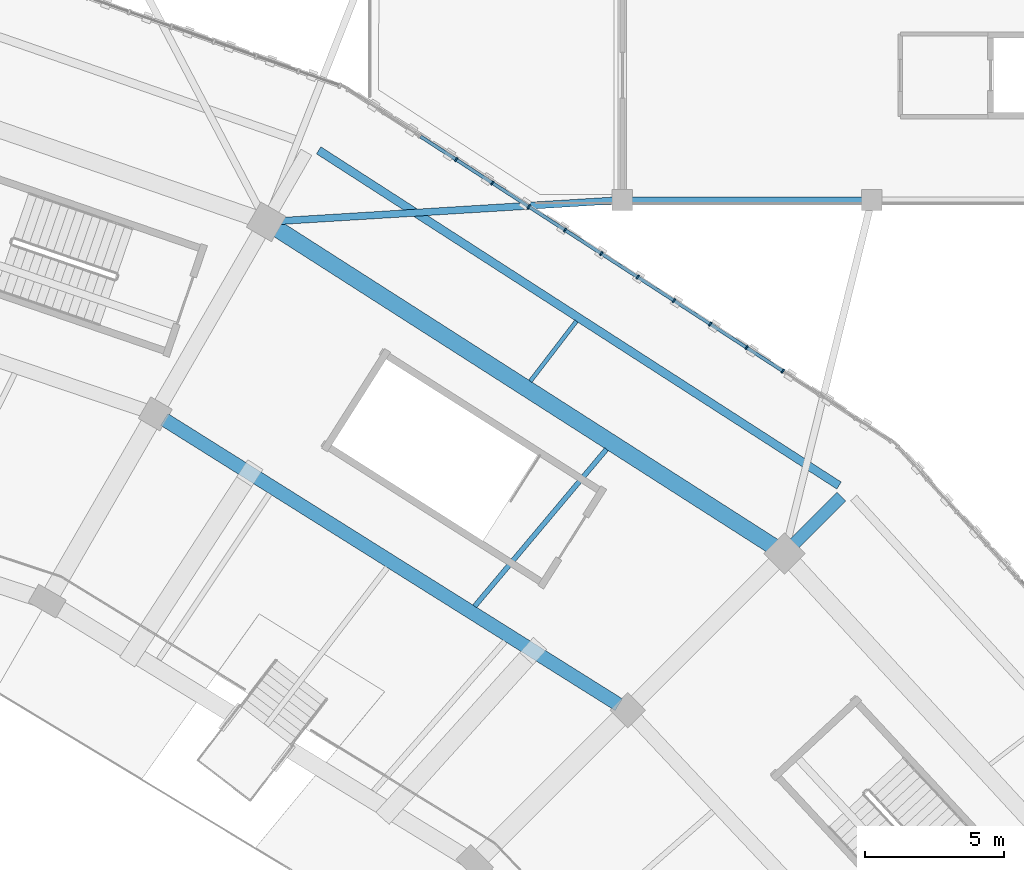
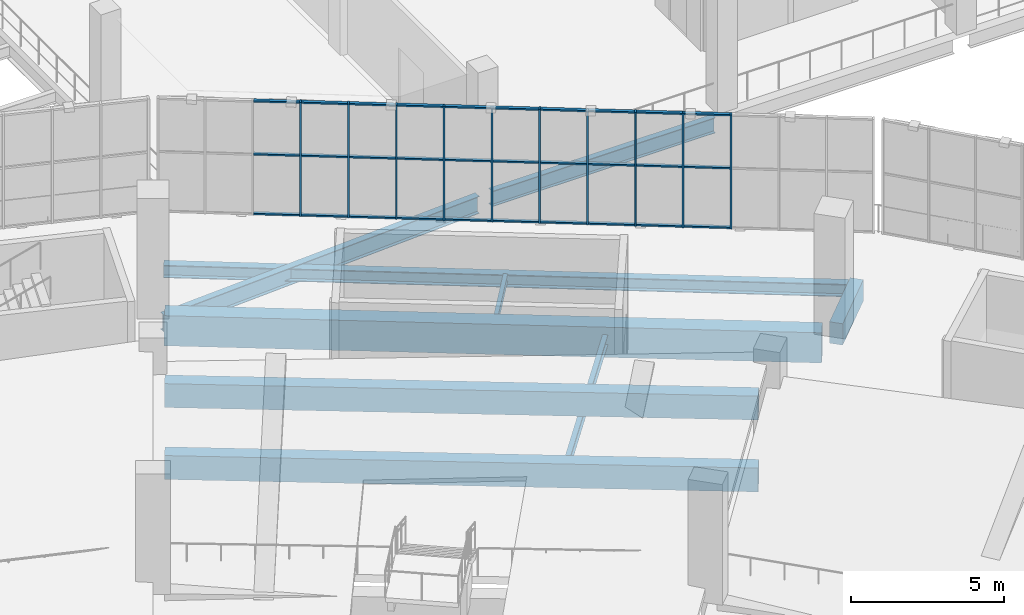
# One storey, part 61 of 152: 40 members, 9 beams, 1 element without a shape of its own.
"""IFC4 building model written with IfcOpenShell, lengths in metres."""

import ifcopenshell
import ifcopenshell.guid

model = None  # the IFC model being written
_history = None  # IfcOwnerHistory: only IFC2X3 demands one
_inside = {}  # id of a spatial element -> (the spatial element, [elements in it])
_under = {}  # id of a project, library or spatial element -> (it, [spatial elements below it])
_declared = {}  # id of a project -> (the project, [libraries it declares])
_typed = {}  # id of a type object -> (the type object, [elements of that type])
_made_of = {}  # id of a material, layer set ... -> (it, [elements and type objects made of it])


def new_model(schema):
    """Start an empty IFC model of exactly this schema.

    Asked for "IFC4X3", IfcOpenShell would pick the latest addendum, in which some entities
    have other attributes; the version numbers below select the first issue.
    IFC2X3 requires an IfcOwnerHistory on every rooted entity: one is made here for all.
    """
    global model, _history
    if schema == "IFC4X3":
        model = ifcopenshell.file(schema_version=(4, 3, 0, 0))
    else:
        model = ifcopenshell.file(schema=schema)
    _inside.clear()
    _under.clear()
    _declared.clear()
    _typed.clear()
    _made_of.clear()
    _history = None
    if model.schema == "IFC2X3":
        org = make("IfcOrganization", Name="unknown")
        user = make(
            "IfcPersonAndOrganization",
            ThePerson=make("IfcPerson", FamilyName="unknown"),
            TheOrganization=org,
        )
        app = make(
            "IfcApplication",
            ApplicationDeveloper=org,
            Version="unknown",
            ApplicationFullName="unknown",
            ApplicationIdentifier="unknown",
        )
        _history = make(
            "IfcOwnerHistory",
            OwningUser=user,
            OwningApplication=app,
            ChangeAction="ADDED",
            CreationDate=0,
        )
    return model


def make(cls, **values):
    """One entity of the class cls with the attributes given. An attribute that is None is left unset."""
    return model.create_entity(
        cls, **{name: value for name, value in values.items() if value is not None}
    )


def rooted(cls, **values):
    """An entity with a GlobalId (a new one), such as an element, a storey or a relation."""
    return make(cls, GlobalId=ifcopenshell.guid.new(), OwnerHistory=_history, **values)


def si_unit(unit_type, name, prefix=None):
    """IfcSIUnit, for example si_unit("LENGTHUNIT", "METRE", prefix="MILLI")."""
    return make("IfcSIUnit", UnitType=unit_type, Prefix=prefix, Name=name)


def assignment(units):
    """IfcUnitAssignment: the units of a project."""
    return None if units is None else make("IfcUnitAssignment", Units=units)


def point(xyz):
    """IfcCartesianPoint."""
    return None if xyz is None else make("IfcCartesianPoint", Coordinates=xyz)


def direction(xyz):
    """IfcDirection."""
    return None if xyz is None else make("IfcDirection", DirectionRatios=xyz)


def frame(location, z_axis=None, x_axis=None):
    """IfcAxis2Placement3D, a coordinate frame: its origin and axes. An axis left out is left unset."""
    return make(
        "IfcAxis2Placement3D",
        Location=point(location),
        Axis=direction(z_axis),
        RefDirection=direction(x_axis),
    )


def frame_2d(location, x_axis=None):
    """IfcAxis2Placement2D, a coordinate frame in the plane: its origin and x axis."""
    return make(
        "IfcAxis2Placement2D", Location=point(location), RefDirection=direction(x_axis)
    )


def origin():
    """The frame at (0, 0, 0) with its axes left unset."""
    return frame((0.0, 0.0, 0.0))


def origin_2d():
    """The frame at (0, 0) in the plane with its x axis left unset."""
    return frame_2d((0.0, 0.0))


def place(relative_to, where):
    """IfcLocalPlacement: puts the frame where relative to a parent placement (None: the world)."""
    return make(
        "IfcLocalPlacement", PlacementRelTo=relative_to, RelativePlacement=where
    )


def context(
    kind, dimensions, precision=None, world=None, true_north=None, identifier=None
):
    """IfcGeometricRepresentationContext, for example the 3D "Model" context."""
    return make(
        "IfcGeometricRepresentationContext",
        ContextIdentifier=identifier,
        ContextType=kind,
        CoordinateSpaceDimension=dimensions,
        Precision=precision,
        WorldCoordinateSystem=world,
        TrueNorth=true_north,
    )


def subcontext(parent, identifier, kind, view, scale=None):
    """IfcGeometricRepresentationSubContext, for example "Body" below "Model"."""
    return make(
        "IfcGeometricRepresentationSubContext",
        ContextIdentifier=identifier,
        ContextType=kind,
        ParentContext=parent,
        TargetScale=scale,
        TargetView=view,
    )


def project(units=None, contexts=None):
    """IfcProject with its units and contexts."""
    return rooted(
        "IfcProject",
        Name="project",
        RepresentationContexts=contexts,
        UnitsInContext=assignment(units),
    )


def spatial(cls, under=None, at=None, **own):
    """A site, building, storey or space (cls), placed at a placement, below another one or the project."""
    s = rooted(cls, ObjectPlacement=at, **own)
    if under is not None:
        _under.setdefault(under.id(), (under, []))[1].append(s)
    return s


def profile(cls, at=None, kind="AREA", **sizes):
    """A parametric profile (cls). Its sizes go by their IFC names, for example OverallWidth=200.0."""
    return make(cls, ProfileType=kind, Position=at, **sizes)


def rectangle(**sizes):
    """IfcRectangleProfileDef."""
    return profile("IfcRectangleProfileDef", **sizes)


def i_section(**sizes):
    """IfcIShapeProfileDef."""
    return profile("IfcIShapeProfileDef", **sizes)


def extrude(swept, where, along, depth):
    """IfcExtrudedAreaSolid: the profile swept, set in the frame where, extruded along a direction by depth."""
    return make(
        "IfcExtrudedAreaSolid",
        SweptArea=swept,
        Position=where,
        ExtrudedDirection=direction(along),
        Depth=depth,
    )


def shape(context_of_items, identifier, shape_type, items):
    """IfcShapeRepresentation: the items that make up one representation, for example the "Body"."""
    return make(
        "IfcShapeRepresentation",
        ContextOfItems=context_of_items,
        RepresentationIdentifier=identifier,
        RepresentationType=shape_type,
        Items=items,
    )


def material(Name=None, Category=None):
    """IfcMaterial."""
    return make("IfcMaterial", Name=Name, Category=Category)


def material_profile(
    of_material, cross_section, Name=None, Category=None, Priority=None
):
    """IfcMaterialProfile: a cross section and its material."""
    return make(
        "IfcMaterialProfile",
        Name=Name,
        Material=of_material,
        Profile=cross_section,
        Priority=Priority,
        Category=Category,
    )


def profile_set(profiles, Name=None, composite=None):
    """IfcMaterialProfileSet."""
    return make(
        "IfcMaterialProfileSet",
        Name=Name,
        MaterialProfiles=profiles,
        CompositeProfile=composite,
    )


def made_of(thing, what):
    """Note that an element or type object is made of a material, layer set ...; save() writes the relation."""
    if what is not None:
        _made_of.setdefault(what.id(), (what, []))[1].append(thing)
    return thing


def type_object(cls, material=None, **own):
    """A type object (cls), such as IfcWallType, which elements share."""
    return made_of(rooted(cls, **own), material)


def element(
    cls,
    number,
    at=None,
    inside=None,
    cuts=None,
    type_object=None,
    material=None,
    context=None,
    identifier="Body",
    shape_type=None,
    held_by="IfcProductDefinitionShape",
    body=None,
    shapes=None,
    **own,
):
    """One element of the class cls, such as IfcWall. Its Tag is "e" and its number.

    at: its placement. inside: the storey or other place that contains it. cuts: it is an
    opening in that element (IfcRelVoidsElement). A single representation is given by context,
    identifier, shape_type and body (its items); several are given by shapes. held_by: the class
    of the entity that holds the representations. save() writes the other relations.
    """
    e = rooted(cls, Tag="e%d" % number, ObjectPlacement=at, **own)
    if body is not None:
        shapes = [shape(context, identifier, shape_type, body)]
    if shapes is not None:
        e.Representation = make(held_by, Representations=shapes)
    if inside is not None:
        _inside.setdefault(inside.id(), (inside, []))[1].append(e)
    if cuts is not None:
        rooted(
            "IfcRelVoidsElement", RelatingBuildingElement=cuts, RelatedOpeningElement=e
        )
    if type_object is not None:
        _typed.setdefault(type_object.id(), (type_object, []))[1].append(e)
    return made_of(e, material)


def aggregate(whole, parts):
    """IfcRelAggregates: a whole, such as a stair, and the parts it consists of."""
    return rooted("IfcRelAggregates", RelatingObject=whole, RelatedObjects=parts)


def save(model, path):
    """Write the relations noted so far, then the file.

    IfcRelAggregates (storeys below a building ...), IfcRelContainedInSpatialStructure (elements
    in a storey), IfcRelDefinesByType, IfcRelAssociatesMaterial and IfcRelDeclares: one each for
    every whole, place, type object, material and project.
    """
    for whole, parts in _under.values():
        aggregate(whole, parts)
    for where, things in _inside.values():
        rooted(
            "IfcRelContainedInSpatialStructure",
            RelatedElements=things,
            RelatingStructure=where,
        )
    for kind, things in _typed.values():
        rooted("IfcRelDefinesByType", RelatedObjects=things, RelatingType=kind)
    for what, things in _made_of.values():
        rooted("IfcRelAssociatesMaterial", RelatedObjects=things, RelatingMaterial=what)
    for by, libraries in _declared.values():
        rooted("IfcRelDeclares", RelatingContext=by, RelatedDefinitions=libraries)
    model.write(path)


model = new_model("IFC4")

# Units and contexts
model_context = context("Model", 3, precision=1e-05, world=origin(), true_north=direction((0.0, 1.0)))
body_context = subcontext(model_context, "Body", "Model", "MODEL_VIEW")
ifc_project = project(units=[si_unit("LENGTHUNIT", "METRE"), si_unit("AREAUNIT", "SQUARE_METRE"), si_unit("VOLUMEUNIT", "CUBIC_METRE"), si_unit("PLANEANGLEUNIT", "RADIAN"), si_unit("MASSUNIT", "GRAM", prefix="KILO")], contexts=[model_context])

# Site, building, storey
site_placement = place(None, origin())
site = spatial("IfcSite", under=ifc_project, at=site_placement, CompositionType="ELEMENT")
building_placement = place(site_placement, origin())
building = spatial("IfcBuilding", under=site, at=building_placement, Name="Zevraka Park Crest Stadium", CompositionType="ELEMENT")
storey_placement = place(building_placement, frame((0.0, 0.0, 15.0)))
storey = spatial("IfcBuildingStorey", under=building, at=storey_placement, Name="L03", CompositionType="ELEMENT", Elevation=15.0)

# Beams
ifc_material_1 = material(Name="Concrete C40/50", Category="concrete")
ifc_material_profile_1 = material_profile(ifc_material_1, rectangle(XDim=0.449951171875, YDim=0.85009765625, at=origin_2d()), Name="RC 850x450")
ifc_profile_set_1 = profile_set([ifc_material_profile_1], Name="Concrete C40/50")
beam_type_1 = type_object("IfcBeamType", Name="BG03", PredefinedType="BEAM", material=ifc_profile_set_1)
beam_1_placement = place(storey_placement, frame((176.06396484375, 145.45703125, -0.43505859375), z_axis=(0.706965918589, 0.707247615728, 0.0), x_axis=(-0.707247615728, 0.706965918589, 0.0)))
element("IfcBeam", 1, at=beam_1_placement, inside=storey, type_object=beam_type_1, Name="Radial Girder BG03 L03-DE-03", PredefinedType="BEAM", context=body_context, shape_type="SweptSolid", body=[
    extrude(rectangle(XDim=0.449951171875, YDim=0.85009765625, at=origin_2d()), origin(), (0.0, 0.0, 1.0), 2.60009765625),
])
ifc_material_2 = material(Name="Steel S355", Category="steel")
ifc_material_profile_2 = material_profile(ifc_material_2, i_section(OverallWidth=0.253662109375, OverallDepth=0.68359375, WebThickness=0.012451171875, FlangeThickness=0.01904296875, at=origin_2d()), Name="UKB 686x254x140")
ifc_profile_set_2 = profile_set([ifc_material_profile_2], Name="Steel S355")
beam_type_2 = type_object("IfcBeamType", Name="BG05", PredefinedType="BEAM", material=ifc_profile_set_2)
beam_2_placement = place(storey_placement, frame((169.800048828125, 157.988037109375, -0.649658203125), z_axis=(-0.998122867072, -0.061243303531, 0.0), x_axis=(0.061243303531, -0.998122867072, 0.0)))
element("IfcBeam", 2, at=beam_2_placement, inside=storey, type_object=beam_type_2, Name="Wing Link Girder BG05 L03-19/T", PredefinedType="BEAM", context=body_context, shape_type="SweptSolid", body=[
    extrude(i_section(OverallWidth=0.253662109375, OverallDepth=0.68359375, WebThickness=0.012451171875, FlangeThickness=0.01904296875, at=origin_2d()), origin(), (0.0, 0.0, 1.0), 12.294189453125),
])
ifc_material_3 = material(Name="Steel S355", Category="steel")
ifc_material_profile_3 = material_profile(ifc_material_3, i_section(OverallWidth=0.22900390625, OverallDepth=0.612060546875, WebThickness=0.011962890625, FlangeThickness=0.01953125, at=origin_2d()), Name="UKB 610x229x125")
ifc_profile_set_3 = profile_set([ifc_material_profile_3], Name="Steel S355")
beam_type_3 = type_object("IfcBeamType", Name="BG09", PredefinedType="BEAM", material=ifc_profile_set_3)
beam_3_placement = place(storey_placement, frame((170.300048828125, 158.0, -0.614013671875), z_axis=(1.0, 0.0, 0.0), x_axis=(0.0, 1.0, 0.0)))
element("IfcBeam", 3, at=beam_3_placement, inside=storey, type_object=beam_type_3, Name="Wing Girder BG09 L03-1920/T", PredefinedType="BEAM", context=body_context, shape_type="SweptSolid", body=[
    extrude(i_section(OverallWidth=0.22900390625, OverallDepth=0.612060546875, WebThickness=0.011962890625, FlangeThickness=0.01953125, at=origin_2d()), origin(), (0.0, 0.0, 1.0), 8.39990234375),
])

# Curtain wall, members
ifc_material_4 = material(Name="Anodised architectural aluminium and laminated safety glass", Category="aluminium")
curtain_wall_type = type_object("IfcCurtainWallType", Name="CW13", PredefinedType="NOTDEFINED", material=ifc_material_4)
curtain_wall_placement = place(storey_placement, origin())
curtain_wall = element("IfcCurtainWall", 4, at=curtain_wall_placement, inside=storey, type_object=curtain_wall_type, Name="Unitised Ring Curtain Wall CW13 L03-03", PredefinedType="NOTDEFINED")
ifc_material_5 = material(Name="Anodised architectural aluminium", Category="aluminium")
ifc_material_profile_4 = material_profile(ifc_material_5, rectangle(XDim=0.159912109375, YDim=0.06005859375, at=origin_2d()), Name="ALU MULLION 160x60")
ifc_profile_set_4 = profile_set([ifc_material_profile_4], Name="Anodised architectural aluminium")
member_type_1 = type_object("IfcMemberType", Name="CM01", PredefinedType="MULLION", material=ifc_profile_set_4)
member_1_placement = place(storey_placement, frame((175.79150390625, 151.8291015625, 0.0), z_axis=(0.0, 0.0, 1.0), x_axis=(-0.543469160232, -0.839429134517, 0.0)))
member_1 = element("IfcMember", 5, at=member_1_placement, type_object=member_type_1, Name="CW13 mullion 4", PredefinedType="MULLION", context=body_context, shape_type="SweptSolid", body=[
    extrude(rectangle(XDim=0.159912109375, YDim=0.06005859375, at=origin_2d()), origin(), (0.0, 0.0, 1.0), 4.5400390625),
])
member_2_placement = place(storey_placement, frame((174.481689453125, 152.677001953125, 0.0), z_axis=(0.0, 0.0, 1.0), x_axis=(-0.543469160232, -0.839429134517, 0.0)))
member_2 = element("IfcMember", 6, at=member_2_placement, type_object=member_type_1, Name="CW13 mullion 5", PredefinedType="MULLION", context=body_context, shape_type="SweptSolid", body=[
    extrude(rectangle(XDim=0.159912109375, YDim=0.06005859375, at=origin_2d()), origin(), (0.0, 0.0, 1.0), 4.5400390625),
])
member_3_placement = place(storey_placement, frame((173.172119140625, 153.52490234375, 0.0), z_axis=(0.0, 0.0, 1.0), x_axis=(-0.543469160232, -0.839429134517, 0.0)))
member_3 = element("IfcMember", 7, at=member_3_placement, type_object=member_type_1, Name="CW13 mullion 6", PredefinedType="MULLION", context=body_context, shape_type="SweptSolid", body=[
    extrude(rectangle(XDim=0.159912109375, YDim=0.06005859375, at=origin_2d()), origin(), (0.0, 0.0, 1.0), 4.5400390625),
])
member_4_placement = place(storey_placement, frame((171.8623046875, 154.373046875, 0.0), z_axis=(0.0, 0.0, 1.0), x_axis=(-0.543469160232, -0.839429134517, 0.0)))
member_4 = element("IfcMember", 8, at=member_4_placement, type_object=member_type_1, Name="CW13 mullion 7", PredefinedType="MULLION", context=body_context, shape_type="SweptSolid", body=[
    extrude(rectangle(XDim=0.159912109375, YDim=0.06005859375, at=origin_2d()), origin(), (0.0, 0.0, 1.0), 4.5400390625),
])
member_5_placement = place(storey_placement, frame((170.552490234375, 155.220947265625, 0.0), z_axis=(0.0, 0.0, 1.0), x_axis=(-0.543469160232, -0.839429134517, 0.0)))
member_5 = element("IfcMember", 9, at=member_5_placement, type_object=member_type_1, Name="CW13 mullion 8", PredefinedType="MULLION", context=body_context, shape_type="SweptSolid", body=[
    extrude(rectangle(XDim=0.159912109375, YDim=0.06005859375, at=origin_2d()), origin(), (0.0, 0.0, 1.0), 4.5400390625),
])
member_6_placement = place(storey_placement, frame((169.24267578125, 156.069091796875, 0.0), z_axis=(0.0, 0.0, 1.0), x_axis=(-0.543469160232, -0.839429134517, 0.0)))
member_6 = element("IfcMember", 10, at=member_6_placement, type_object=member_type_1, Name="CW13 mullion 9", PredefinedType="MULLION", context=body_context, shape_type="SweptSolid", body=[
    extrude(rectangle(XDim=0.159912109375, YDim=0.06005859375, at=origin_2d()), origin(), (0.0, 0.0, 1.0), 4.5400390625),
])
member_7_placement = place(storey_placement, frame((167.932861328125, 156.9169921875, 0.0), z_axis=(0.0, 0.0, 1.0), x_axis=(-0.543469160232, -0.839429134517, 0.0)))
member_7 = element("IfcMember", 11, at=member_7_placement, type_object=member_type_1, Name="CW13 mullion 10", PredefinedType="MULLION", context=body_context, shape_type="SweptSolid", body=[
    extrude(rectangle(XDim=0.159912109375, YDim=0.06005859375, at=origin_2d()), origin(), (0.0, 0.0, 1.0), 4.5400390625),
])
member_8_placement = place(storey_placement, frame((166.623046875, 157.764892578125, 0.0), z_axis=(0.0, 0.0, 1.0), x_axis=(-0.543469160232, -0.839429134517, 0.0)))
member_8 = element("IfcMember", 12, at=member_8_placement, type_object=member_type_1, Name="CW13 mullion 11", PredefinedType="MULLION", context=body_context, shape_type="SweptSolid", body=[
    extrude(rectangle(XDim=0.159912109375, YDim=0.06005859375, at=origin_2d()), origin(), (0.0, 0.0, 1.0), 4.5400390625),
])
member_9_placement = place(storey_placement, frame((165.313232421875, 158.613037109375, 0.0), z_axis=(0.0, 0.0, 1.0), x_axis=(-0.543469160232, -0.839429134517, 0.0)))
member_9 = element("IfcMember", 13, at=member_9_placement, type_object=member_type_1, Name="CW13 mullion 12", PredefinedType="MULLION", context=body_context, shape_type="SweptSolid", body=[
    extrude(rectangle(XDim=0.159912109375, YDim=0.06005859375, at=origin_2d()), origin(), (0.0, 0.0, 1.0), 4.5400390625),
])
member_10_placement = place(storey_placement, frame((164.00341796875, 159.4609375, 0.0), z_axis=(0.0, 0.0, 1.0), x_axis=(-0.543469160232, -0.839429134517, 0.0)))
member_10 = element("IfcMember", 14, at=member_10_placement, type_object=member_type_1, Name="CW13 mullion 13", PredefinedType="MULLION", context=body_context, shape_type="SweptSolid", body=[
    extrude(rectangle(XDim=0.159912109375, YDim=0.06005859375, at=origin_2d()), origin(), (0.0, 0.0, 1.0), 4.5400390625),
])
ifc_material_6 = material(Name="Anodised architectural aluminium", Category="aluminium")
ifc_material_profile_5 = material_profile(ifc_material_6, rectangle(XDim=0.1201171875, YDim=0.06005859375, at=origin_2d()), Name="ALU TRANSOM 120x60")
ifc_profile_set_5 = profile_set([ifc_material_profile_5], Name="Anodised architectural aluminium")
member_type_2 = type_object("IfcMemberType", Name="CT01", PredefinedType="USERDEFINED", material=ifc_profile_set_5)
member_11_placement = place(storey_placement, frame((175.766357421875, 151.84521484375, 0.030029296875), z_axis=(-0.839386734847, 0.543534644124, 0.0), x_axis=(-0.543534644124, -0.839386734847, 0.0)))
member_11 = element("IfcMember", 15, at=member_11_placement, type_object=member_type_2, Name="CW13 transom 4.1", ObjectType="TRANSOM", PredefinedType="USERDEFINED", context=body_context, shape_type="SweptSolid", body=[
    extrude(rectangle(XDim=0.1201171875, YDim=0.06005859375, at=origin_2d()), origin(), (0.0, 0.0, 1.0), 1.500244140625),
])
member_12_placement = place(storey_placement, frame((175.766357421875, 151.84521484375, 2.39990234375), z_axis=(-0.839386734847, 0.543534644124, 0.0), x_axis=(-0.543534644124, -0.839386734847, 0.0)))
member_12 = element("IfcMember", 16, at=member_12_placement, type_object=member_type_2, Name="CW13 transom 4.2", ObjectType="TRANSOM", PredefinedType="USERDEFINED", context=body_context, shape_type="SweptSolid", body=[
    extrude(rectangle(XDim=0.1201171875, YDim=0.06005859375, at=origin_2d()), origin(), (0.0, 0.0, 1.0), 1.500244140625),
])
member_13_placement = place(storey_placement, frame((175.766357421875, 151.84521484375, 4.510009765625), z_axis=(-0.839386734847, 0.543534644124, 0.0), x_axis=(-0.543534644124, -0.839386734847, 0.0)))
member_13 = element("IfcMember", 17, at=member_13_placement, type_object=member_type_2, Name="CW13 transom 4.3", ObjectType="TRANSOM", PredefinedType="USERDEFINED", context=body_context, shape_type="SweptSolid", body=[
    extrude(rectangle(XDim=0.1201171875, YDim=0.06005859375, at=origin_2d()), origin(), (0.0, 0.0, 1.0), 1.500244140625),
])
member_14_placement = place(storey_placement, frame((174.45654296875, 152.693359375, 0.030029296875), z_axis=(-0.839386734847, 0.543534644124, 0.0), x_axis=(-0.543534644124, -0.839386734847, 0.0)))
member_14 = element("IfcMember", 18, at=member_14_placement, type_object=member_type_2, Name="CW13 transom 5.1", ObjectType="TRANSOM", PredefinedType="USERDEFINED", context=body_context, shape_type="SweptSolid", body=[
    extrude(rectangle(XDim=0.1201171875, YDim=0.06005859375, at=origin_2d()), origin(), (0.0, 0.0, 1.0), 1.500244140625),
])
member_15_placement = place(storey_placement, frame((174.45654296875, 152.693359375, 2.39990234375), z_axis=(-0.839386734847, 0.543534644124, 0.0), x_axis=(-0.543534644124, -0.839386734847, 0.0)))
member_15 = element("IfcMember", 19, at=member_15_placement, type_object=member_type_2, Name="CW13 transom 5.2", ObjectType="TRANSOM", PredefinedType="USERDEFINED", context=body_context, shape_type="SweptSolid", body=[
    extrude(rectangle(XDim=0.1201171875, YDim=0.06005859375, at=origin_2d()), origin(), (0.0, 0.0, 1.0), 1.500244140625),
])
member_16_placement = place(storey_placement, frame((174.45654296875, 152.693359375, 4.510009765625), z_axis=(-0.839386734847, 0.543534644124, 0.0), x_axis=(-0.543534644124, -0.839386734847, 0.0)))
member_16 = element("IfcMember", 20, at=member_16_placement, type_object=member_type_2, Name="CW13 transom 5.3", ObjectType="TRANSOM", PredefinedType="USERDEFINED", context=body_context, shape_type="SweptSolid", body=[
    extrude(rectangle(XDim=0.1201171875, YDim=0.06005859375, at=origin_2d()), origin(), (0.0, 0.0, 1.0), 1.500244140625),
])
member_17_placement = place(storey_placement, frame((173.146728515625, 153.541259765625, 0.030029296875), z_axis=(-0.839386734847, 0.543534644124, 0.0), x_axis=(-0.543534644124, -0.839386734847, 0.0)))
member_17 = element("IfcMember", 21, at=member_17_placement, type_object=member_type_2, Name="CW13 transom 6.1", ObjectType="TRANSOM", PredefinedType="USERDEFINED", context=body_context, shape_type="SweptSolid", body=[
    extrude(rectangle(XDim=0.1201171875, YDim=0.06005859375, at=origin_2d()), origin(), (0.0, 0.0, 1.0), 1.500244140625),
])
member_18_placement = place(storey_placement, frame((173.146728515625, 153.541259765625, 2.39990234375), z_axis=(-0.839386734847, 0.543534644124, 0.0), x_axis=(-0.543534644124, -0.839386734847, 0.0)))
member_18 = element("IfcMember", 22, at=member_18_placement, type_object=member_type_2, Name="CW13 transom 6.2", ObjectType="TRANSOM", PredefinedType="USERDEFINED", context=body_context, shape_type="SweptSolid", body=[
    extrude(rectangle(XDim=0.1201171875, YDim=0.06005859375, at=origin_2d()), origin(), (0.0, 0.0, 1.0), 1.500244140625),
])
member_19_placement = place(storey_placement, frame((173.146728515625, 153.541259765625, 4.510009765625), z_axis=(-0.839386734847, 0.543534644124, 0.0), x_axis=(-0.543534644124, -0.839386734847, 0.0)))
member_19 = element("IfcMember", 23, at=member_19_placement, type_object=member_type_2, Name="CW13 transom 6.3", ObjectType="TRANSOM", PredefinedType="USERDEFINED", context=body_context, shape_type="SweptSolid", body=[
    extrude(rectangle(XDim=0.1201171875, YDim=0.06005859375, at=origin_2d()), origin(), (0.0, 0.0, 1.0), 1.500244140625),
])
member_20_placement = place(storey_placement, frame((171.8369140625, 154.389404296875, 0.030029296875), z_axis=(-0.839460979075, 0.543419970751, 0.0), x_axis=(-0.543419970751, -0.839460979075, 0.0)))
member_20 = element("IfcMember", 24, at=member_20_placement, type_object=member_type_2, Name="CW13 transom 7.1", ObjectType="TRANSOM", PredefinedType="USERDEFINED", context=body_context, shape_type="SweptSolid", body=[
    extrude(rectangle(XDim=0.1201171875, YDim=0.06005859375, at=origin_2d()), origin(), (0.0, 0.0, 1.0), 1.5),
])
member_21_placement = place(storey_placement, frame((171.8369140625, 154.389404296875, 2.39990234375), z_axis=(-0.839460979075, 0.543419970751, 0.0), x_axis=(-0.543419970751, -0.839460979075, 0.0)))
member_21 = element("IfcMember", 25, at=member_21_placement, type_object=member_type_2, Name="CW13 transom 7.2", ObjectType="TRANSOM", PredefinedType="USERDEFINED", context=body_context, shape_type="SweptSolid", body=[
    extrude(rectangle(XDim=0.1201171875, YDim=0.06005859375, at=origin_2d()), origin(), (0.0, 0.0, 1.0), 1.5),
])
member_22_placement = place(storey_placement, frame((171.8369140625, 154.389404296875, 4.510009765625), z_axis=(-0.839460979075, 0.543419970751, 0.0), x_axis=(-0.543419970751, -0.839460979075, 0.0)))
member_22 = element("IfcMember", 26, at=member_22_placement, type_object=member_type_2, Name="CW13 transom 7.3", ObjectType="TRANSOM", PredefinedType="USERDEFINED", context=body_context, shape_type="SweptSolid", body=[
    extrude(rectangle(XDim=0.1201171875, YDim=0.06005859375, at=origin_2d()), origin(), (0.0, 0.0, 1.0), 1.5),
])
member_23_placement = place(storey_placement, frame((170.527099609375, 155.2373046875, 0.030029296875), z_axis=(-0.839386734847, 0.543534644124, 0.0), x_axis=(-0.543534644124, -0.839386734847, 0.0)))
member_23 = element("IfcMember", 27, at=member_23_placement, type_object=member_type_2, Name="CW13 transom 8.1", ObjectType="TRANSOM", PredefinedType="USERDEFINED", context=body_context, shape_type="SweptSolid", body=[
    extrude(rectangle(XDim=0.1201171875, YDim=0.06005859375, at=origin_2d()), origin(), (0.0, 0.0, 1.0), 1.500244140625),
])
member_24_placement = place(storey_placement, frame((170.527099609375, 155.2373046875, 2.39990234375), z_axis=(-0.839386734847, 0.543534644124, 0.0), x_axis=(-0.543534644124, -0.839386734847, 0.0)))
member_24 = element("IfcMember", 28, at=member_24_placement, type_object=member_type_2, Name="CW13 transom 8.2", ObjectType="TRANSOM", PredefinedType="USERDEFINED", context=body_context, shape_type="SweptSolid", body=[
    extrude(rectangle(XDim=0.1201171875, YDim=0.06005859375, at=origin_2d()), origin(), (0.0, 0.0, 1.0), 1.500244140625),
])
member_25_placement = place(storey_placement, frame((170.527099609375, 155.2373046875, 4.510009765625), z_axis=(-0.839386734847, 0.543534644124, 0.0), x_axis=(-0.543534644124, -0.839386734847, 0.0)))
member_25 = element("IfcMember", 29, at=member_25_placement, type_object=member_type_2, Name="CW13 transom 8.3", ObjectType="TRANSOM", PredefinedType="USERDEFINED", context=body_context, shape_type="SweptSolid", body=[
    extrude(rectangle(XDim=0.1201171875, YDim=0.06005859375, at=origin_2d()), origin(), (0.0, 0.0, 1.0), 1.500244140625),
])
member_26_placement = place(storey_placement, frame((169.217529296875, 156.085205078125, 0.030029296875), z_axis=(-0.839434801762, 0.543460406645, 0.0), x_axis=(-0.543460406645, -0.839434801762, 0.0)))
member_26 = element("IfcMember", 30, at=member_26_placement, type_object=member_type_2, Name="CW13 transom 9.1", ObjectType="TRANSOM", PredefinedType="USERDEFINED", context=body_context, shape_type="SweptSolid", body=[
    extrude(rectangle(XDim=0.1201171875, YDim=0.06005859375, at=origin_2d()), origin(), (0.0, 0.0, 1.0), 1.50048828125),
])
member_27_placement = place(storey_placement, frame((169.217529296875, 156.085205078125, 2.39990234375), z_axis=(-0.839434801762, 0.543460406645, 0.0), x_axis=(-0.543460406645, -0.839434801762, 0.0)))
member_27 = element("IfcMember", 31, at=member_27_placement, type_object=member_type_2, Name="CW13 transom 9.2", ObjectType="TRANSOM", PredefinedType="USERDEFINED", context=body_context, shape_type="SweptSolid", body=[
    extrude(rectangle(XDim=0.1201171875, YDim=0.06005859375, at=origin_2d()), origin(), (0.0, 0.0, 1.0), 1.50048828125),
])
member_28_placement = place(storey_placement, frame((169.217529296875, 156.085205078125, 4.510009765625), z_axis=(-0.839434801762, 0.543460406645, 0.0), x_axis=(-0.543460406645, -0.839434801762, 0.0)))
member_28 = element("IfcMember", 32, at=member_28_placement, type_object=member_type_2, Name="CW13 transom 9.3", ObjectType="TRANSOM", PredefinedType="USERDEFINED", context=body_context, shape_type="SweptSolid", body=[
    extrude(rectangle(XDim=0.1201171875, YDim=0.06005859375, at=origin_2d()), origin(), (0.0, 0.0, 1.0), 1.50048828125),
])
member_29_placement = place(storey_placement, frame((167.90771484375, 156.933349609375, 0.030029296875), z_axis=(-0.839434801762, 0.543460406645, 0.0), x_axis=(-0.543460406645, -0.839434801762, 0.0)))
member_29 = element("IfcMember", 33, at=member_29_placement, type_object=member_type_2, Name="CW13 transom 10.1", ObjectType="TRANSOM", PredefinedType="USERDEFINED", context=body_context, shape_type="SweptSolid", body=[
    extrude(rectangle(XDim=0.1201171875, YDim=0.06005859375, at=origin_2d()), origin(), (0.0, 0.0, 1.0), 1.50048828125),
])
member_30_placement = place(storey_placement, frame((167.90771484375, 156.933349609375, 2.39990234375), z_axis=(-0.839434801762, 0.543460406645, 0.0), x_axis=(-0.543460406645, -0.839434801762, 0.0)))
member_30 = element("IfcMember", 34, at=member_30_placement, type_object=member_type_2, Name="CW13 transom 10.2", ObjectType="TRANSOM", PredefinedType="USERDEFINED", context=body_context, shape_type="SweptSolid", body=[
    extrude(rectangle(XDim=0.1201171875, YDim=0.06005859375, at=origin_2d()), origin(), (0.0, 0.0, 1.0), 1.50048828125),
])
member_31_placement = place(storey_placement, frame((167.90771484375, 156.933349609375, 4.510009765625), z_axis=(-0.839434801762, 0.543460406645, 0.0), x_axis=(-0.543460406645, -0.839434801762, 0.0)))
member_31 = element("IfcMember", 35, at=member_31_placement, type_object=member_type_2, Name="CW13 transom 10.3", ObjectType="TRANSOM", PredefinedType="USERDEFINED", context=body_context, shape_type="SweptSolid", body=[
    extrude(rectangle(XDim=0.1201171875, YDim=0.06005859375, at=origin_2d()), origin(), (0.0, 0.0, 1.0), 1.50048828125),
])
member_32_placement = place(storey_placement, frame((166.597900390625, 157.78125, 0.030029296875), z_axis=(-0.839434801762, 0.543460406645, 0.0), x_axis=(-0.543460406645, -0.839434801762, 0.0)))
member_32 = element("IfcMember", 36, at=member_32_placement, type_object=member_type_2, Name="CW13 transom 11.1", ObjectType="TRANSOM", PredefinedType="USERDEFINED", context=body_context, shape_type="SweptSolid", body=[
    extrude(rectangle(XDim=0.1201171875, YDim=0.06005859375, at=origin_2d()), origin(), (0.0, 0.0, 1.0), 1.50048828125),
])
member_33_placement = place(storey_placement, frame((166.597900390625, 157.78125, 2.39990234375), z_axis=(-0.839434801762, 0.543460406645, 0.0), x_axis=(-0.543460406645, -0.839434801762, 0.0)))
member_33 = element("IfcMember", 37, at=member_33_placement, type_object=member_type_2, Name="CW13 transom 11.2", ObjectType="TRANSOM", PredefinedType="USERDEFINED", context=body_context, shape_type="SweptSolid", body=[
    extrude(rectangle(XDim=0.1201171875, YDim=0.06005859375, at=origin_2d()), origin(), (0.0, 0.0, 1.0), 1.50048828125),
])
member_34_placement = place(storey_placement, frame((166.597900390625, 157.78125, 4.510009765625), z_axis=(-0.839434801762, 0.543460406645, 0.0), x_axis=(-0.543460406645, -0.839434801762, 0.0)))
member_34 = element("IfcMember", 38, at=member_34_placement, type_object=member_type_2, Name="CW13 transom 11.3", ObjectType="TRANSOM", PredefinedType="USERDEFINED", context=body_context, shape_type="SweptSolid", body=[
    extrude(rectangle(XDim=0.1201171875, YDim=0.06005859375, at=origin_2d()), origin(), (0.0, 0.0, 1.0), 1.50048828125),
])
member_35_placement = place(storey_placement, frame((165.2880859375, 158.62939453125, 0.030029296875), z_axis=(-0.839509029958, 0.543345735807, 0.0), x_axis=(-0.543345735807, -0.839509029958, 0.0)))
member_35 = element("IfcMember", 39, at=member_35_placement, type_object=member_type_2, Name="CW13 transom 12.1", ObjectType="TRANSOM", PredefinedType="USERDEFINED", context=body_context, shape_type="SweptSolid", body=[
    extrude(rectangle(XDim=0.1201171875, YDim=0.06005859375, at=origin_2d()), origin(), (0.0, 0.0, 1.0), 1.500244140625),
])
member_36_placement = place(storey_placement, frame((165.2880859375, 158.62939453125, 2.39990234375), z_axis=(-0.839509029958, 0.543345735807, 0.0), x_axis=(-0.543345735807, -0.839509029958, 0.0)))
member_36 = element("IfcMember", 40, at=member_36_placement, type_object=member_type_2, Name="CW13 transom 12.2", ObjectType="TRANSOM", PredefinedType="USERDEFINED", context=body_context, shape_type="SweptSolid", body=[
    extrude(rectangle(XDim=0.1201171875, YDim=0.06005859375, at=origin_2d()), origin(), (0.0, 0.0, 1.0), 1.500244140625),
])
member_37_placement = place(storey_placement, frame((165.2880859375, 158.62939453125, 4.510009765625), z_axis=(-0.839509029958, 0.543345735807, 0.0), x_axis=(-0.543345735807, -0.839509029958, 0.0)))
member_37 = element("IfcMember", 41, at=member_37_placement, type_object=member_type_2, Name="CW13 transom 12.3", ObjectType="TRANSOM", PredefinedType="USERDEFINED", context=body_context, shape_type="SweptSolid", body=[
    extrude(rectangle(XDim=0.1201171875, YDim=0.06005859375, at=origin_2d()), origin(), (0.0, 0.0, 1.0), 1.500244140625),
])
member_38_placement = place(storey_placement, frame((163.978271484375, 159.477294921875, 0.030029296875), z_axis=(-0.839434801762, 0.543460406645, 0.0), x_axis=(-0.543460406645, -0.839434801762, 0.0)))
member_38 = element("IfcMember", 42, at=member_38_placement, type_object=member_type_2, Name="CW13 transom 13.1", ObjectType="TRANSOM", PredefinedType="USERDEFINED", context=body_context, shape_type="SweptSolid", body=[
    extrude(rectangle(XDim=0.1201171875, YDim=0.06005859375, at=origin_2d()), origin(), (0.0, 0.0, 1.0), 1.50048828125),
])
member_39_placement = place(storey_placement, frame((163.978271484375, 159.477294921875, 2.39990234375), z_axis=(-0.839434801762, 0.543460406645, 0.0), x_axis=(-0.543460406645, -0.839434801762, 0.0)))
member_39 = element("IfcMember", 43, at=member_39_placement, type_object=member_type_2, Name="CW13 transom 13.2", ObjectType="TRANSOM", PredefinedType="USERDEFINED", context=body_context, shape_type="SweptSolid", body=[
    extrude(rectangle(XDim=0.1201171875, YDim=0.06005859375, at=origin_2d()), origin(), (0.0, 0.0, 1.0), 1.50048828125),
])
member_40_placement = place(storey_placement, frame((163.978271484375, 159.477294921875, 4.510009765625), z_axis=(-0.839434801762, 0.543460406645, 0.0), x_axis=(-0.543460406645, -0.839434801762, 0.0)))
member_40 = element("IfcMember", 44, at=member_40_placement, type_object=member_type_2, Name="CW13 transom 13.3", ObjectType="TRANSOM", PredefinedType="USERDEFINED", context=body_context, shape_type="SweptSolid", body=[
    extrude(rectangle(XDim=0.1201171875, YDim=0.06005859375, at=origin_2d()), origin(), (0.0, 0.0, 1.0), 1.50048828125),
])
aggregate(curtain_wall, [member_1, member_2, member_3, member_4, member_5, member_6, member_7, member_8, member_9, member_10, member_11, member_12, member_13, member_14, member_15, member_16, member_17, member_18, member_19, member_20, member_21, member_22, member_23, member_24, member_25, member_26, member_27, member_28, member_29, member_30, member_31, member_32, member_33, member_34, member_35, member_36, member_37, member_38, member_39, member_40])

# Beams
ifc_material_7 = material(Name="Concrete C40/50", Category="concrete")
ifc_material_profile_6 = material_profile(ifc_material_7, rectangle(XDim=0.60009765625, YDim=1.199951171875, at=origin_2d()), Name="RC 1200x600")
ifc_profile_set_6 = profile_set([ifc_material_profile_6], Name="Concrete C40/50")
beam_type_4 = type_object("IfcBeamType", Name="RB01", PredefinedType="BEAM", material=ifc_profile_set_6)
beam_4_placement = place(storey_placement, frame((175.531982421875, 145.449951171875, -0.610107421875), z_axis=(-0.842325571453, 0.538969045193, 0.0), x_axis=(-0.538969045193, -0.842325571453, 0.0)))
element("IfcBeam", 45, at=beam_4_placement, inside=storey, type_object=beam_type_4, Name="Ring Beam RB01 L03-D-03", PredefinedType="BEAM", context=body_context, shape_type="SweptSolid", body=[
    extrude(rectangle(XDim=0.60009765625, YDim=1.199951171875, at=origin_2d()), origin(), (0.0, 0.0, 1.0), 21.443115234375),
])
ifc_material_8 = material(Name="Concrete C40/50", Category="concrete")
ifc_material_profile_7 = material_profile(ifc_material_8, rectangle(XDim=0.5, YDim=0.949951171875, at=origin_2d()), Name="RC 950x500")
ifc_profile_set_7 = profile_set([ifc_material_profile_7], Name="Concrete C40/50")
beam_type_5 = type_object("IfcBeamType", Name="RB02", PredefinedType="BEAM", material=ifc_profile_set_7)
for number, where, z_axis, x_axis, name in (
    (46, (169.873046875, 139.7900390625, -0.485107421875), (-0.847038516183, 0.531531515625, 0.0), (-0.531531515625, -0.847038516183, 0.0), "Ring Beam RB02 L03-C-03"),
    (47, (169.873046875, 139.7900390625, 2.375), (-0.847038516183, 0.531531515625, 0.0), (-0.531531515625, -0.847038516183, 0.0), "Upper Tier Head Raker Ring Beam RB02 03"),
):
    element("IfcBeam", number, at=place(storey_placement, frame(where, z_axis=z_axis, x_axis=x_axis)), inside=storey, type_object=beam_type_5, Name=name, PredefinedType="BEAM", context=body_context, shape_type="SweptSolid", body=[
        extrude(rectangle(XDim=0.5, YDim=0.949951171875, at=origin_2d()), origin(), (0.0, 0.0, 1.0), 19.36279296875),
    ])
ifc_material_9 = material(Name="Steel S355", Category="steel")
ifc_material_profile_8 = material_profile(ifc_material_9, i_section(OverallWidth=0.300048828125, OverallDepth=0.5, WebThickness=0.014404296875, FlangeThickness=0.028076171875, at=origin_2d()), Name="HEB 500")
ifc_profile_set_8 = profile_set([ifc_material_profile_8], Name="Steel S355")
beam_type_6 = type_object("IfcBeamType", Name="RB05", PredefinedType="BEAM", material=ifc_profile_set_8)
beam_5_placement = place(storey_placement, frame((177.820068359375, 147.697998046875, -0.60498046875), z_axis=(-0.840676981124, 0.541536899396, 0.0), x_axis=(-0.541536899396, -0.840676981124, 0.0)))
element("IfcBeam", 48, at=beam_5_placement, inside=storey, type_object=beam_type_6, Name="Ring Beam RB05 L03-E-03", PredefinedType="BEAM", context=body_context, shape_type="SweptSolid", body=[
    extrude(i_section(OverallWidth=0.300048828125, OverallDepth=0.5, WebThickness=0.014404296875, FlangeThickness=0.028076171875, at=origin_2d()), origin(), (0.0, 0.0, 1.0), 22.33447265625),
])
ifc_material_10 = material(Name="Steel S355", Category="steel")
ifc_material_profile_9 = material_profile(ifc_material_10, i_section(OverallWidth=0.14990234375, OverallDepth=0.300048828125, WebThickness=0.007080078125, FlangeThickness=0.0107421875, at=origin_2d()), Name="IPE 300")
ifc_profile_set_9 = profile_set([ifc_material_profile_9], Name="Steel S355")
beam_type_7 = type_object("IfcBeamType", Name="SJ01", PredefinedType="JOIST", material=ifc_profile_set_9)
beam_6_placement = place(storey_placement, frame((166.680908203125, 151.462890625, -0.4580078125), z_axis=(0.608829249804, 0.793301294959, 0.0), x_axis=(-0.793301294959, 0.608829249804, 0.0)))
element("IfcBeam", 49, at=beam_6_placement, inside=storey, type_object=beam_type_7, Name="Floor Joist SJ01 L03-DE-03-1", PredefinedType="JOIST", context=body_context, shape_type="SweptSolid", body=[
    extrude(i_section(OverallWidth=0.14990234375, OverallDepth=0.300048828125, WebThickness=0.007080078125, FlangeThickness=0.0107421875, at=origin_2d()), origin(), (0.0, 0.0, 1.0), 2.731689453125),
])
ifc_material_11 = material(Name="Steel S355", Category="steel")
ifc_material_profile_10 = material_profile(ifc_material_11, i_section(OverallWidth=0.179931640625, OverallDepth=0.39990234375, WebThickness=0.008544921875, FlangeThickness=0.013427734375, at=origin_2d()), Name="IPE 400")
ifc_profile_set_10 = profile_set([ifc_material_profile_10], Name="Steel S355")
beam_type_8 = type_object("IfcBeamType", Name="SJ09", PredefinedType="JOIST", material=ifc_profile_set_10)
beam_7_placement = place(storey_placement, frame((164.6708984375, 143.341064453125, -0.508056640625), z_axis=(0.642939005042, 0.765917381834, 0.0), x_axis=(-0.765917381834, 0.642939005042, 0.0)))
element("IfcBeam", 50, at=beam_7_placement, inside=storey, type_object=beam_type_8, Name="Floor Joist SJ09 L03-CD-03-1", PredefinedType="JOIST", context=body_context, shape_type="SweptSolid", body=[
    extrude(i_section(OverallWidth=0.179931640625, OverallDepth=0.39990234375, WebThickness=0.008544921875, FlangeThickness=0.013427734375, at=origin_2d()), origin(), (0.0, 0.0, 1.0), 7.39892578125),
])

save(model, "model.ifc")
